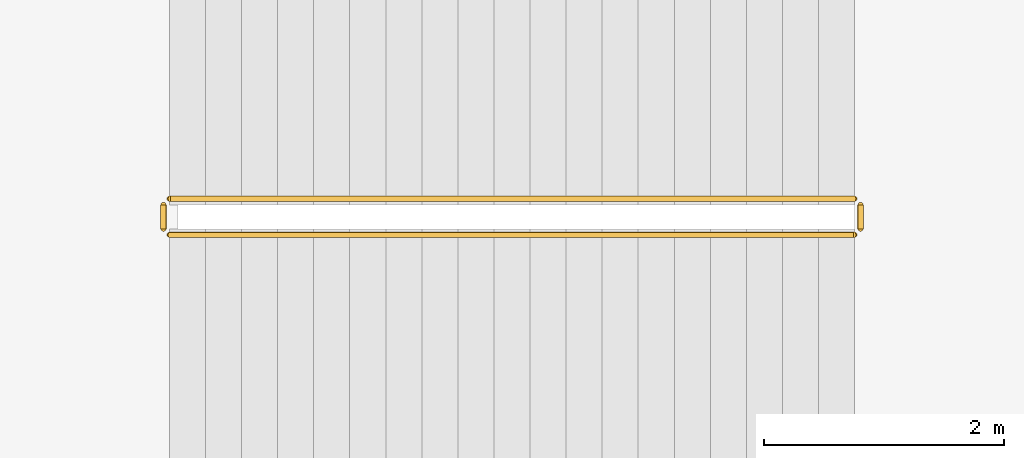
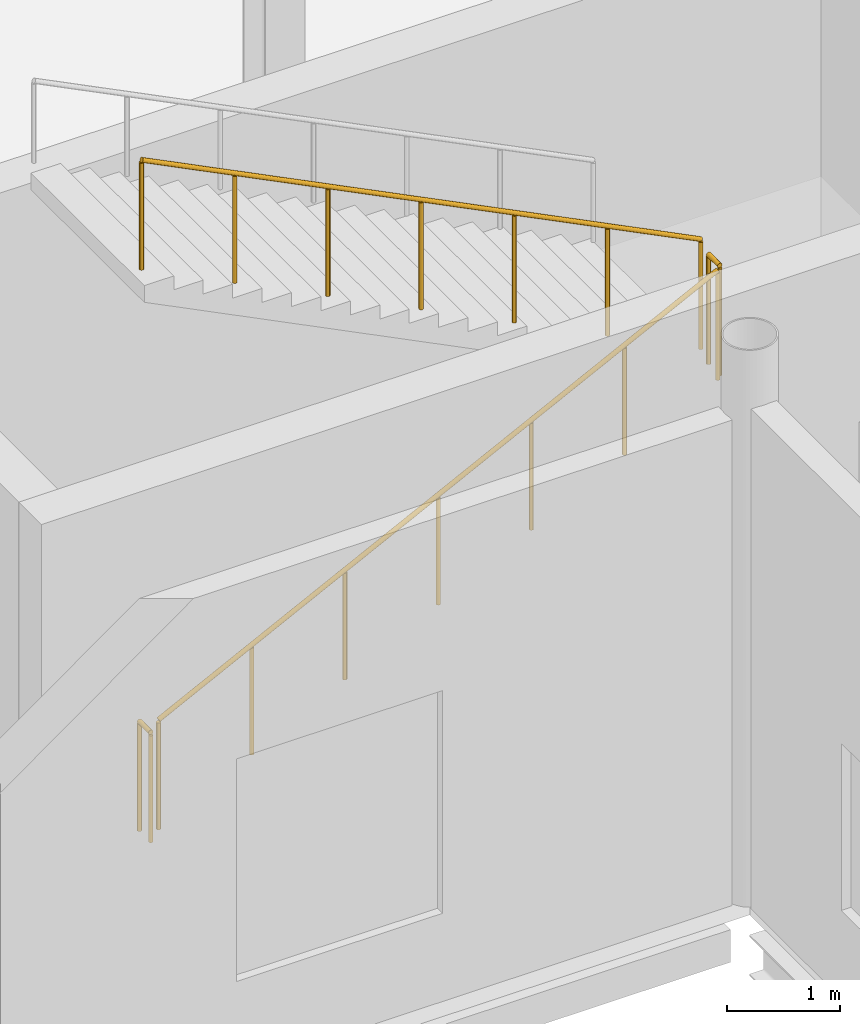
# One storey, part 70 of 85: 4 railings.
"""IFC4 building model written with IfcOpenShell, lengths in metres."""

from ifc_helpers import new_model, si_unit, direction, frame, origin, origin_2d, place, context, subcontext, project, spatial, circle, extrude, material, type_object, element, save


model = new_model("IFC4")

# Units and contexts
model_context = context("Model", 3, precision=1e-05, world=origin(), true_north=direction((0.0, 1.0)))
body_context = subcontext(model_context, "Body", "Model", "MODEL_VIEW")
ifc_project = project(units=[si_unit("LENGTHUNIT", "METRE"), si_unit("AREAUNIT", "SQUARE_METRE"), si_unit("VOLUMEUNIT", "CUBIC_METRE"), si_unit("PLANEANGLEUNIT", "RADIAN"), si_unit("MASSUNIT", "GRAM", prefix="KILO"), si_unit("THERMODYNAMICTEMPERATUREUNIT", "KELVIN")], contexts=[model_context])

# Site, building, storey
site_placement = place(None, origin())
site = spatial("IfcSite", under=ifc_project, at=site_placement, CompositionType="ELEMENT")
building_placement = place(site_placement, origin())
building = spatial("IfcBuilding", under=site, at=building_placement, Name="Lustrewick Department Store", CompositionType="ELEMENT")
storey_placement = place(building_placement, origin())
storey = spatial("IfcBuildingStorey", under=building, at=storey_placement, Name="L01", CompositionType="ELEMENT", Elevation=0.0)

# Railings
ifc_material = material(Name="Painted tubular steel stairwell guardrail", Category="steel")
railing_type = type_object("IfcRailingType", Name="RL-STG", PredefinedType="GUARDRAIL", material=ifc_material)
railing_1_placement = place(storey_placement, frame((63.050048828125, 62.050048828125, 0.14990234375)))
element("IfcRailing", 1, at=railing_1_placement, inside=storey, type_object=railing_type, Name="L01 ST04 Stair Guard 1", PredefinedType="GUARDRAIL", context=body_context, shape_type="SweptSolid", body=[
    extrude(circle(Radius=0.02392578125, at=origin_2d()), frame((0.0, 0.0, 1.17578125), z_axis=(0.894419528903, 0.0, 0.447228919365), x_axis=(0.0, 1.0, 0.0)), (0.0, 0.0, 1.0), 6.372802734375),
    extrude(circle(Radius=0.02099609375, at=origin_2d()), origin(), (0.0, 0.0, 1.0), 1.15185546875),
    extrude(circle(Radius=0.02099609375, at=origin_2d()), frame((0.949951171875, 0.0, 0.47509765625)), (0.0, 0.0, 1.0), 1.15185546875),
    extrude(circle(Radius=0.02099609375, at=origin_2d()), frame((1.89990234375, 0.0, 0.949951171875)), (0.0, 0.0, 1.0), 1.15185546875),
    extrude(circle(Radius=0.02099609375, at=origin_2d()), frame((2.85009765625, 0.0, 1.425048828125)), (0.0, 0.0, 1.0), 1.15185546875),
    extrude(circle(Radius=0.02099609375, at=origin_2d()), frame((3.800048828125, 0.0, 1.900146484375)), (0.0, 0.0, 1.0), 1.15185546875),
    extrude(circle(Radius=0.02099609375, at=origin_2d()), frame((4.75, 0.0, 2.375)), (0.0, 0.0, 1.0), 1.15185546875),
    extrude(circle(Radius=0.02099609375, at=origin_2d()), frame((5.699951171875, 0.0, 2.85009765625)), (0.0, 0.0, 1.0), 1.15185546875),
])
railing_2_placement = place(storey_placement, frame((68.800048828125, 62.10009765625, 3.0)))
element("IfcRailing", 2, at=railing_2_placement, inside=storey, type_object=railing_type, Name="L01 ST04 Stair Guard 2", PredefinedType="GUARDRAIL", context=body_context, shape_type="SweptSolid", body=[
    extrude(circle(Radius=0.02392578125, at=origin_2d()), frame((0.0, 0.0, 1.17578125), z_axis=(0.0, 1.0, 0.0), x_axis=(-1.0, 0.0, 0.0)), (0.0, 0.0, 1.0), 0.199951171875),
    extrude(circle(Radius=0.02099609375, at=origin_2d()), origin(), (0.0, 0.0, 1.0), 1.15185546875),
    extrude(circle(Radius=0.02099609375, at=origin_2d()), frame((0.0, 0.199951171875, 0.0)), (0.0, 0.0, 1.0), 1.15185546875),
])
railing_3_placement = place(storey_placement, frame((68.75, 62.35009765625, 3.14990234375)))
element("IfcRailing", 3, at=railing_3_placement, inside=storey, type_object=railing_type, Name="L01 ST04 Stair Guard 3", PredefinedType="GUARDRAIL", context=body_context, shape_type="SweptSolid", body=[
    extrude(circle(Radius=0.02392578125, at=origin_2d()), frame((0.0, 0.0, 1.17578125), z_axis=(-0.894419528903, 0.0, 0.447228919365), x_axis=(0.0, -1.0, 0.0)), (0.0, 0.0, 1.0), 6.372802734375),
    extrude(circle(Radius=0.02099609375, at=origin_2d()), origin(), (0.0, 0.0, 1.0), 1.15185546875),
    extrude(circle(Radius=0.02099609375, at=origin_2d()), frame((-0.949951171875, 0.0, 0.47509765625)), (0.0, 0.0, 1.0), 1.15185546875),
    extrude(circle(Radius=0.02099609375, at=origin_2d()), frame((-1.89990234375, 0.0, 0.949951171875)), (0.0, 0.0, 1.0), 1.15185546875),
    extrude(circle(Radius=0.02099609375, at=origin_2d()), frame((-2.85009765625, 0.0, 1.425048828125)), (0.0, 0.0, 1.0), 1.15185546875),
    extrude(circle(Radius=0.02099609375, at=origin_2d()), frame((-3.800048828125, 0.0, 1.900146484375)), (0.0, 0.0, 1.0), 1.15185546875),
    extrude(circle(Radius=0.02099609375, at=origin_2d()), frame((-4.75, 0.0, 2.375)), (0.0, 0.0, 1.0), 1.15185546875),
    extrude(circle(Radius=0.02099609375, at=origin_2d()), frame((-5.699951171875, 0.0, 2.85009765625)), (0.0, 0.0, 1.0), 1.15185546875),
])
railing_4_placement = place(storey_placement, frame((63.0, 62.10009765625, 0.0)))
element("IfcRailing", 4, at=railing_4_placement, inside=storey, type_object=railing_type, Name="L01 ST04 Stair Guard 4", PredefinedType="GUARDRAIL", context=body_context, shape_type="SweptSolid", body=[
    extrude(circle(Radius=0.02392578125, at=origin_2d()), frame((0.0, 0.0, 1.17578125), z_axis=(0.0, 1.0, 0.0), x_axis=(-1.0, 0.0, 0.0)), (0.0, 0.0, 1.0), 0.199951171875),
    extrude(circle(Radius=0.02099609375, at=origin_2d()), origin(), (0.0, 0.0, 1.0), 1.15185546875),
    extrude(circle(Radius=0.02099609375, at=origin_2d()), frame((0.0, 0.199951171875, 0.0)), (0.0, 0.0, 1.0), 1.15185546875),
])

save(model, "model.ifc")
